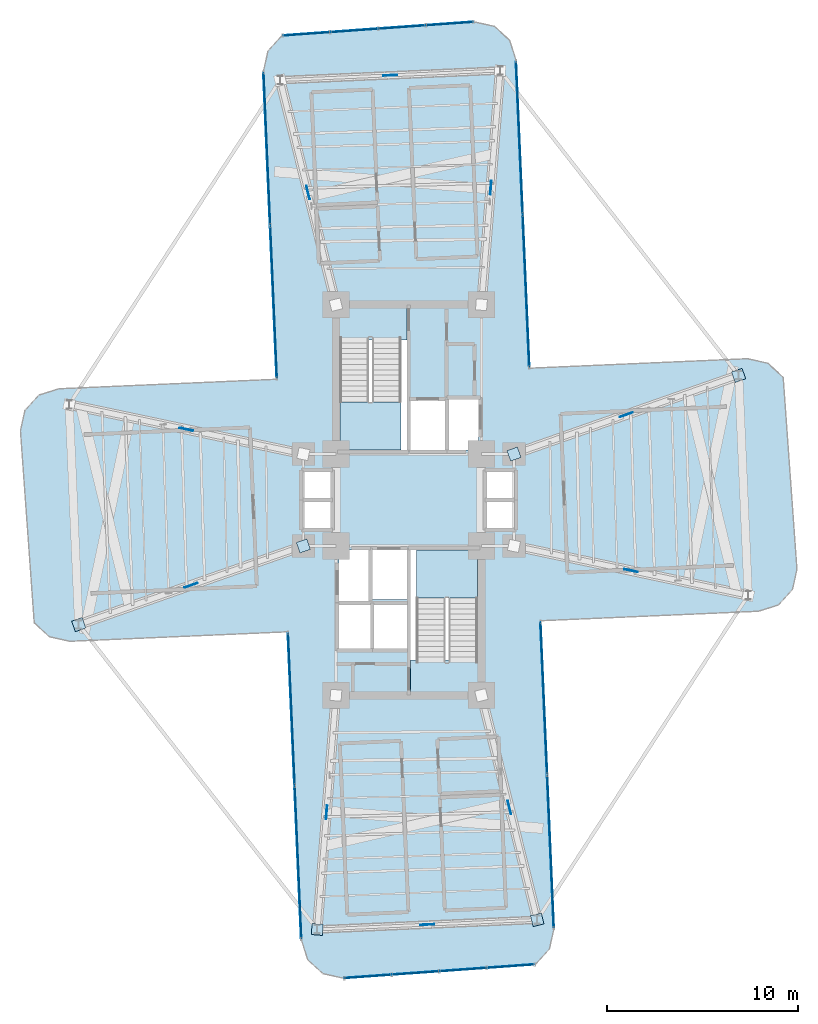
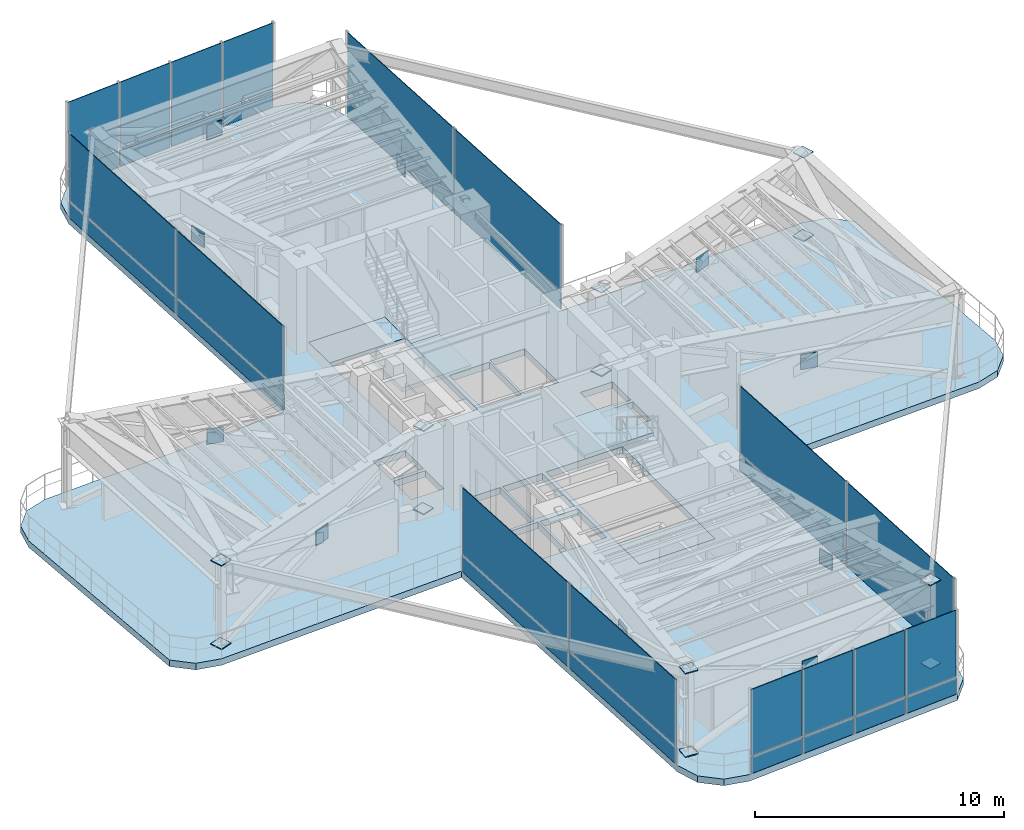
# One storey, part 12 of 18: 54 plates, 5 slabs, 8 elements without a shape of their own.
"""IFC4 building model written with IfcOpenShell, lengths in metres."""

import ifcopenshell
import ifcopenshell.guid

model = None  # the IFC model being written
_history = None  # IfcOwnerHistory: only IFC2X3 demands one
_inside = {}  # id of a spatial element -> (the spatial element, [elements in it])
_under = {}  # id of a project, library or spatial element -> (it, [spatial elements below it])
_declared = {}  # id of a project -> (the project, [libraries it declares])
_typed = {}  # id of a type object -> (the type object, [elements of that type])
_made_of = {}  # id of a material, layer set ... -> (it, [elements and type objects made of it])


def new_model(schema):
    """Start an empty IFC model of exactly this schema.

    Asked for "IFC4X3", IfcOpenShell would pick the latest addendum, in which some entities
    have other attributes; the version numbers below select the first issue.
    IFC2X3 requires an IfcOwnerHistory on every rooted entity: one is made here for all.
    """
    global model, _history
    if schema == "IFC4X3":
        model = ifcopenshell.file(schema_version=(4, 3, 0, 0))
    else:
        model = ifcopenshell.file(schema=schema)
    _inside.clear()
    _under.clear()
    _declared.clear()
    _typed.clear()
    _made_of.clear()
    _history = None
    if model.schema == "IFC2X3":
        org = make("IfcOrganization", Name="unknown")
        user = make(
            "IfcPersonAndOrganization",
            ThePerson=make("IfcPerson", FamilyName="unknown"),
            TheOrganization=org,
        )
        app = make(
            "IfcApplication",
            ApplicationDeveloper=org,
            Version="unknown",
            ApplicationFullName="unknown",
            ApplicationIdentifier="unknown",
        )
        _history = make(
            "IfcOwnerHistory",
            OwningUser=user,
            OwningApplication=app,
            ChangeAction="ADDED",
            CreationDate=0,
        )
    return model


def make(cls, **values):
    """One entity of the class cls with the attributes given. An attribute that is None is left unset."""
    return model.create_entity(
        cls, **{name: value for name, value in values.items() if value is not None}
    )


def rooted(cls, **values):
    """An entity with a GlobalId (a new one), such as an element, a storey or a relation."""
    return make(cls, GlobalId=ifcopenshell.guid.new(), OwnerHistory=_history, **values)


def si_unit(unit_type, name, prefix=None):
    """IfcSIUnit, for example si_unit("LENGTHUNIT", "METRE", prefix="MILLI")."""
    return make("IfcSIUnit", UnitType=unit_type, Prefix=prefix, Name=name)


def assignment(units):
    """IfcUnitAssignment: the units of a project."""
    return None if units is None else make("IfcUnitAssignment", Units=units)


def point(xyz):
    """IfcCartesianPoint."""
    return None if xyz is None else make("IfcCartesianPoint", Coordinates=xyz)


def direction(xyz):
    """IfcDirection."""
    return None if xyz is None else make("IfcDirection", DirectionRatios=xyz)


def frame(location, z_axis=None, x_axis=None):
    """IfcAxis2Placement3D, a coordinate frame: its origin and axes. An axis left out is left unset."""
    return make(
        "IfcAxis2Placement3D",
        Location=point(location),
        Axis=direction(z_axis),
        RefDirection=direction(x_axis),
    )


def frame_2d(location, x_axis=None):
    """IfcAxis2Placement2D, a coordinate frame in the plane: its origin and x axis."""
    return make(
        "IfcAxis2Placement2D", Location=point(location), RefDirection=direction(x_axis)
    )


def origin():
    """The frame at (0, 0, 0) with its axes left unset."""
    return frame((0.0, 0.0, 0.0))


def origin_2d():
    """The frame at (0, 0) in the plane with its x axis left unset."""
    return frame_2d((0.0, 0.0))


def place(relative_to, where):
    """IfcLocalPlacement: puts the frame where relative to a parent placement (None: the world)."""
    return make(
        "IfcLocalPlacement", PlacementRelTo=relative_to, RelativePlacement=where
    )


def context(
    kind, dimensions, precision=None, world=None, true_north=None, identifier=None
):
    """IfcGeometricRepresentationContext, for example the 3D "Model" context."""
    return make(
        "IfcGeometricRepresentationContext",
        ContextIdentifier=identifier,
        ContextType=kind,
        CoordinateSpaceDimension=dimensions,
        Precision=precision,
        WorldCoordinateSystem=world,
        TrueNorth=true_north,
    )


def subcontext(parent, identifier, kind, view, scale=None):
    """IfcGeometricRepresentationSubContext, for example "Body" below "Model"."""
    return make(
        "IfcGeometricRepresentationSubContext",
        ContextIdentifier=identifier,
        ContextType=kind,
        ParentContext=parent,
        TargetScale=scale,
        TargetView=view,
    )


def project(units=None, contexts=None):
    """IfcProject with its units and contexts."""
    return rooted(
        "IfcProject",
        Name="project",
        RepresentationContexts=contexts,
        UnitsInContext=assignment(units),
    )


def spatial(cls, under=None, at=None, **own):
    """A site, building, storey or space (cls), placed at a placement, below another one or the project."""
    s = rooted(cls, ObjectPlacement=at, **own)
    if under is not None:
        _under.setdefault(under.id(), (under, []))[1].append(s)
    return s


def polyline(points):
    """IfcPolyline through the points."""
    return make("IfcPolyline", Points=[point(p) for p in points])


def profile(cls, at=None, kind="AREA", **sizes):
    """A parametric profile (cls). Its sizes go by their IFC names, for example OverallWidth=200.0."""
    return make(cls, ProfileType=kind, Position=at, **sizes)


def rectangle(**sizes):
    """IfcRectangleProfileDef."""
    return profile("IfcRectangleProfileDef", **sizes)


def outline(outer, holes=None, kind="AREA"):
    """IfcArbitraryClosedProfileDef: a profile drawn as a closed curve; with holes, ...WithVoids."""
    if holes is None:
        return make("IfcArbitraryClosedProfileDef", ProfileType=kind, OuterCurve=outer)
    return make(
        "IfcArbitraryProfileDefWithVoids",
        ProfileType=kind,
        OuterCurve=outer,
        InnerCurves=holes,
    )


def extrude(swept, where, along, depth):
    """IfcExtrudedAreaSolid: the profile swept, set in the frame where, extruded along a direction by depth."""
    return make(
        "IfcExtrudedAreaSolid",
        SweptArea=swept,
        Position=where,
        ExtrudedDirection=direction(along),
        Depth=depth,
    )


def shape(context_of_items, identifier, shape_type, items):
    """IfcShapeRepresentation: the items that make up one representation, for example the "Body"."""
    return make(
        "IfcShapeRepresentation",
        ContextOfItems=context_of_items,
        RepresentationIdentifier=identifier,
        RepresentationType=shape_type,
        Items=items,
    )


def source(mapping_origin, context_of_items, identifier, shape_type, items):
    """IfcRepresentationMap: a shape defined once, which mapped items show again and again."""
    return make(
        "IfcRepresentationMap",
        MappingOrigin=mapping_origin,
        MappedRepresentation=shape(context_of_items, identifier, shape_type, items),
    )


def transform(
    local_origin,
    x_axis=None,
    y_axis=None,
    z_axis=None,
    scale=None,
    scale2=None,
    scale3=None,
    uniform=True,
):
    """IfcCartesianTransformationOperator3D, or its non-uniform kind. x_axis, y_axis, z_axis: its Axis1, 2, 3."""
    if uniform:
        return make(
            "IfcCartesianTransformationOperator3D",
            Axis1=direction(x_axis),
            Axis2=direction(y_axis),
            LocalOrigin=point(local_origin),
            Scale=scale,
            Axis3=direction(z_axis),
        )
    return make(
        "IfcCartesianTransformationOperator3DnonUniform",
        Axis1=direction(x_axis),
        Axis2=direction(y_axis),
        LocalOrigin=point(local_origin),
        Scale=scale,
        Axis3=direction(z_axis),
        Scale2=scale2,
        Scale3=scale3,
    )


def mapped(mapping_source, mapping_target):
    """IfcMappedItem: shows the shape of a source again, moved by a transform."""
    return make(
        "IfcMappedItem", MappingSource=mapping_source, MappingTarget=mapping_target
    )


def material(Name=None, Category=None):
    """IfcMaterial."""
    return make("IfcMaterial", Name=Name, Category=Category)


def layer(
    of_material, thickness, ventilated=None, Name=None, Category=None, Priority=None
):
    """IfcMaterialLayer: one layer of a wall or slab, of a material (None: an air gap)."""
    return make(
        "IfcMaterialLayer",
        Material=of_material,
        LayerThickness=thickness,
        IsVentilated=ventilated,
        Name=Name,
        Category=Category,
        Priority=Priority,
    )


def layer_set(layers, Name=None):
    """IfcMaterialLayerSet."""
    return make("IfcMaterialLayerSet", MaterialLayers=layers, LayerSetName=Name)


def made_of(thing, what):
    """Note that an element or type object is made of a material, layer set ...; save() writes the relation."""
    if what is not None:
        _made_of.setdefault(what.id(), (what, []))[1].append(thing)
    return thing


def type_object(cls, material=None, **own):
    """A type object (cls), such as IfcWallType, which elements share."""
    return made_of(rooted(cls, **own), material)


def element(
    cls,
    number,
    at=None,
    inside=None,
    cuts=None,
    type_object=None,
    material=None,
    context=None,
    identifier="Body",
    shape_type=None,
    held_by="IfcProductDefinitionShape",
    body=None,
    shapes=None,
    **own,
):
    """One element of the class cls, such as IfcWall. Its Tag is "e" and its number.

    at: its placement. inside: the storey or other place that contains it. cuts: it is an
    opening in that element (IfcRelVoidsElement). A single representation is given by context,
    identifier, shape_type and body (its items); several are given by shapes. held_by: the class
    of the entity that holds the representations. save() writes the other relations.
    """
    e = rooted(cls, Tag="e%d" % number, ObjectPlacement=at, **own)
    if body is not None:
        shapes = [shape(context, identifier, shape_type, body)]
    if shapes is not None:
        e.Representation = make(held_by, Representations=shapes)
    if inside is not None:
        _inside.setdefault(inside.id(), (inside, []))[1].append(e)
    if cuts is not None:
        rooted(
            "IfcRelVoidsElement", RelatingBuildingElement=cuts, RelatedOpeningElement=e
        )
    if type_object is not None:
        _typed.setdefault(type_object.id(), (type_object, []))[1].append(e)
    return made_of(e, material)


def aggregate(whole, parts):
    """IfcRelAggregates: a whole, such as a stair, and the parts it consists of."""
    return rooted("IfcRelAggregates", RelatingObject=whole, RelatedObjects=parts)


def save(model, path):
    """Write the relations noted so far, then the file.

    IfcRelAggregates (storeys below a building ...), IfcRelContainedInSpatialStructure (elements
    in a storey), IfcRelDefinesByType, IfcRelAssociatesMaterial and IfcRelDeclares: one each for
    every whole, place, type object, material and project.
    """
    for whole, parts in _under.values():
        aggregate(whole, parts)
    for where, things in _inside.values():
        rooted(
            "IfcRelContainedInSpatialStructure",
            RelatedElements=things,
            RelatingStructure=where,
        )
    for kind, things in _typed.values():
        rooted("IfcRelDefinesByType", RelatedObjects=things, RelatingType=kind)
    for what, things in _made_of.values():
        rooted("IfcRelAssociatesMaterial", RelatedObjects=things, RelatingMaterial=what)
    for by, libraries in _declared.values():
        rooted("IfcRelDeclares", RelatingContext=by, RelatedDefinitions=libraries)
    model.write(path)


model = new_model("IFC4")

# Units and contexts
model_context = context("Model", 3, precision=1e-05, world=origin(), true_north=direction((0.0, 1.0)))
body_context = subcontext(model_context, "Body", "Model", "MODEL_VIEW")
ifc_project = project(units=[si_unit("LENGTHUNIT", "METRE"), si_unit("AREAUNIT", "SQUARE_METRE"), si_unit("VOLUMEUNIT", "CUBIC_METRE"), si_unit("PLANEANGLEUNIT", "RADIAN"), si_unit("MASSUNIT", "GRAM", prefix="KILO")], contexts=[model_context])

# Site, building, storey
site_placement = place(None, origin())
site = spatial("IfcSite", under=ifc_project, at=site_placement, CompositionType="ELEMENT")
building_placement = place(site_placement, origin())
building = spatial("IfcBuilding", under=site, at=building_placement, Name="Sahyath Konkavel Grand Hotel", CompositionType="ELEMENT")
storey_placement = place(building_placement, frame((0.0, 0.0, 138.25)))
storey = spatial("IfcBuildingStorey", under=building, at=storey_placement, Name="L38", CompositionType="ELEMENT", Elevation=138.25)

# Slab
ifc_material_1 = material(Name="Concrete C50/60", Category="concrete")
ifc_layer_1 = layer(ifc_material_1, 0.320068359375)
ifc_layer_set_1 = layer_set([ifc_layer_1], Name="Concrete C50/60")
slab_type_1 = type_object("IfcSlabType", Name="SLB-320", PredefinedType="FLOOR", material=ifc_layer_set_1)
slab_1_placement = place(storey_placement, frame((0.0, 0.0, -0.320068359375)))
element("IfcSlab", 1, at=slab_1_placement, inside=storey, type_object=slab_type_1, Name="L38 Structural Floor Slab", PredefinedType="FLOOR", context=body_context, shape_type="SweptSolid", body=[
    extrude(outline(polyline([(6.881591796875, -6.305908203125), (18.270751953125, -5.80859375), (19.3076171875, -5.481689453125), (20.0419921875, -4.68017578125), (20.277099609375, -3.618896484375), (19.5576171875, 6.4091796875), (18.75634765625, 7.1435546875), (17.695068359375, 7.37890625), (6.305908203125, 6.881591796875), (5.603515625, 22.96630859375), (5.276611328125, 24.0029296875), (4.47509765625, 24.7373046875), (3.4140625, 24.97265625), (-6.6142578125, 24.253173828125), (-7.3486328125, 23.451904296875), (-7.583984375, 22.390380859375), (-6.881591796875, 6.305908203125), (-18.270751953125, 5.80859375), (-19.3076171875, 5.481689453125), (-20.0419921875, 4.68017578125), (-20.277099609375, 3.618896484375), (-19.5576171875, -6.4091796875), (-18.75634765625, -7.1435546875), (-17.695068359375, -7.37890625), (-6.305908203125, -6.881591796875), (-5.603515625, -22.96630859375), (-5.276611328125, -24.0029296875), (-4.47509765625, -24.7373046875), (-3.4140625, -24.97265625), (6.6142578125, -24.253173828125), (7.3486328125, -23.451904296875), (7.583984375, -22.390380859375), (6.881591796875, -6.305908203125)]), holes=[polyline([(-3.6201171875, 2.580078125), (-0.10009765625, 2.580078125), (-0.10009765625, 10.02001953125), (-3.6201171875, 10.02001953125), (-3.6201171875, 2.580078125)]), polyline([(0.10009765625, -10.02001953125), (3.6201171875, -10.02001953125), (3.6201171875, -2.580078125), (0.10009765625, -2.580078125), (0.10009765625, -10.02001953125)]), polyline([(0.10009765625, 2.60009765625), (1.949951171875, 2.60009765625), (1.949951171875, 5.199951171875), (0.10009765625, 5.199951171875), (0.10009765625, 2.60009765625)]), polyline([(-1.949951171875, -5.199951171875), (-0.10009765625, -5.199951171875), (-0.10009765625, -2.60009765625), (-1.949951171875, -2.60009765625), (-1.949951171875, -5.199951171875)]), polyline([(2.050048828125, 2.60009765625), (3.64990234375, 2.60009765625), (3.64990234375, 5.300048828125), (2.050048828125, 5.300048828125), (2.050048828125, 2.60009765625)]), polyline([(-3.64990234375, -5.300048828125), (-2.050048828125, -5.300048828125), (-2.050048828125, -2.60009765625), (-3.64990234375, -2.60009765625), (-3.64990234375, -5.300048828125)]), polyline([(-3.64990234375, -7.75), (-1.949951171875, -7.75), (-1.949951171875, -5.449951171875), (-3.64990234375, -5.449951171875), (-3.64990234375, -7.75)]), polyline([(-1.85009765625, -7.75), (-0.10009765625, -7.75), (-0.10009765625, -5.449951171875), (-1.85009765625, -5.449951171875), (-1.85009765625, -7.75)]), polyline([(4.050048828125, 0.080078125), (5.550048828125, 0.080078125), (5.550048828125, 1.5400390625), (4.050048828125, 1.5400390625), (4.050048828125, 0.080078125)]), polyline([(4.050048828125, -1.5400390625), (5.550048828125, -1.5400390625), (5.550048828125, -0.080078125), (4.050048828125, -0.080078125), (4.050048828125, -1.5400390625)]), polyline([(-5.550048828125, 0.080078125), (-4.050048828125, 0.080078125), (-4.050048828125, 1.5400390625), (-5.550048828125, 1.5400390625), (-5.550048828125, 0.080078125)]), polyline([(-5.550048828125, -1.5400390625), (-4.050048828125, -1.5400390625), (-4.050048828125, -0.080078125), (-5.550048828125, -0.080078125), (-5.550048828125, -1.5400390625)])]), origin(), (0.0, 0.0, 1.0), 0.320068359375),
])

# Stair, slab
ifc_material_2 = material(Name="Concrete C40/50", Category="concrete")
stair_type = type_object("IfcStairType", Name="STR-ST16-450", PredefinedType="HALF_TURN_STAIR", material=ifc_material_2)
stair_1_placement = place(storey_placement, origin())
stair_1 = element("IfcStair", 2, at=stair_1_placement, inside=storey, type_object=stair_type, Name="L38 North Core Smokeproof Exit Stair ST-1", PredefinedType="HALF_TURN_STAIR")
ifc_layer_2 = layer(ifc_material_2, 0.199951171875)
ifc_layer_set_2 = layer_set([ifc_layer_2], Name="Concrete C40/50")
slab_type_2 = type_object("IfcSlabType", Name="SLB-STAIR-LND", PredefinedType="LANDING", material=ifc_layer_set_2)
slab_2_placement = place(storey_placement, frame((0.0, 0.0, 2.050048828125)))
slab_2 = element("IfcSlab", 3, at=slab_2_placement, type_object=slab_type_2, Name="ST-1 landing 1", PredefinedType="LANDING", context=body_context, shape_type="SweptSolid", body=[
    extrude(outline(polyline([(-3.60009765625, 5.1201171875), (-3.60009765625, 2.60009765625), (-0.39990234375, 2.60009765625), (-0.39990234375, 5.1201171875), (-3.60009765625, 5.1201171875)])), origin(), (0.0, 0.0, 1.0), 0.199951171875),
])
aggregate(stair_1, [slab_2])

stair_2_placement = place(storey_placement, origin())
stair_2 = element("IfcStair", 4, at=stair_2_placement, inside=storey, type_object=stair_type, Name="L38 South Core Smokeproof Exit Stair ST-2", PredefinedType="HALF_TURN_STAIR")
slab_3_placement = place(storey_placement, frame((0.0, 0.0, 2.050048828125)))
slab_3 = element("IfcSlab", 5, at=slab_3_placement, type_object=slab_type_2, Name="ST-2 landing 1", PredefinedType="LANDING", context=body_context, shape_type="SweptSolid", body=[
    extrude(outline(polyline([(3.60009765625, -5.1201171875), (3.60009765625, -2.60009765625), (0.39990234375, -2.60009765625), (0.39990234375, -5.1201171875), (3.60009765625, -5.1201171875)])), origin(), (0.0, 0.0, 1.0), 0.199951171875),
])
aggregate(stair_2, [slab_3])

# Slabs
slab_4_placement = place(storey_placement, frame((0.0, 0.0, -0.199951171875)))
element("IfcSlab", 6, at=slab_4_placement, inside=storey, type_object=slab_type_2, Name="L38 Stair ST-1 Floor Landing Slab", PredefinedType="LANDING", context=body_context, shape_type="SweptSolid", body=[
    extrude(outline(polyline([(-3.6201171875, 8.35009765625), (-0.10009765625, 8.35009765625), (-0.10009765625, 10.02001953125), (-3.6201171875, 10.02001953125), (-3.6201171875, 8.35009765625)])), origin(), (0.0, 0.0, 1.0), 0.199951171875),
])
slab_5_placement = place(storey_placement, frame((0.0, 0.0, -0.199951171875)))
element("IfcSlab", 7, at=slab_5_placement, inside=storey, type_object=slab_type_2, Name="L38 Stair ST-2 Floor Landing Slab", PredefinedType="LANDING", context=body_context, shape_type="SweptSolid", body=[
    extrude(outline(polyline([(0.10009765625, -10.02001953125), (3.6201171875, -10.02001953125), (3.6201171875, -8.35009765625), (0.10009765625, -8.35009765625), (0.10009765625, -10.02001953125)])), origin(), (0.0, 0.0, 1.0), 0.199951171875),
])

# Plates
ifc_material_3 = material(Name="Steel E450", Category="steel")
plate_type_1 = type_object("IfcPlateType", Name="GUSSET-NODE-40", PredefinedType="USERDEFINED", material=ifc_material_3)
shared_shape_1 = source(origin(), body_context, "Body", "SweptSolid", [
    extrude(rectangle(XDim=0.719970703125, YDim=0.0400390625, at=origin_2d()), origin(), (0.0, 0.0, 1.0), 0.719970703125),
])
for number, where, z_axis, x_axis, name in (
    (8, (11.6171875, -3.690673828125, 1.72998046875), (0.0, 0.0, 1.0), (0.978458570704, -0.206443274088, 0.0), "L38 Core Outrigger Truss EA X-Crossing Node Gusset Plate"),
    (9, (11.3662109375, 4.453857421875, 1.72998046875), (0.0, 0.0, 1.0), (0.943818255983, 0.330464974958, 0.0), "L38 Core Outrigger Truss EB X-Crossing Node Gusset Plate"),
    (10, (4.2880859375, 16.314697265625, 1.72998046875), (0.0, 0.0, 1.0), (0.079572613899, 0.996829072167, 0.0), "L38 Core Outrigger Truss NA X-Crossing Node Gusset Plate"),
    (11, (-5.256591796875, 16.064208984375, 1.72998046875), (0.0, 0.0, 1.0), (-0.241041183619, 0.970514887984, 0.0), "L38 Core Outrigger Truss NB X-Crossing Node Gusset Plate"),
    (12, (-11.6171875, 3.690673828125, 1.72998046875), (0.0, 0.0, 1.0), (-0.978458570704, 0.206443274088, 0.0), "L38 Core Outrigger Truss WA X-Crossing Node Gusset Plate"),
    (13, (-11.3662109375, -4.453857421875, 1.72998046875), (0.0, 0.0, 1.0), (-0.943818255983, -0.330464974958, 0.0), "L38 Core Outrigger Truss WB X-Crossing Node Gusset Plate"),
    (14, (-4.2880859375, -16.314697265625, 1.72998046875), (0.0, 0.0, 1.0), (-0.079572613899, -0.996829072167, 0.0), "L38 Core Outrigger Truss SA X-Crossing Node Gusset Plate"),
    (15, (5.256591796875, -16.064208984375, 1.72998046875), (0.0, 0.0, 1.0), (0.241041183619, -0.970514887984, 0.0), "L38 Core Outrigger Truss SB X-Crossing Node Gusset Plate"),
    (16, (-0.968505859375, 22.178955078125, 1.72998046875), (0.0, 0.0, 1.0), (-0.999048221582, -0.043619387365, 0.0), "L38 Perimeter Belt Truss TIP-N X-Crossing Node Gusset Plate"),
    (17, (0.968505859375, -22.178955078125, 1.72998046875), (0.0, 0.0, 1.0), (0.999048221582, 0.043619387365, 0.0), "L38 Perimeter Belt Truss TIP-S X-Crossing Node Gusset Plate"),
):
    element("IfcPlate", number, at=place(storey_placement, frame(where, z_axis=z_axis, x_axis=x_axis)), inside=storey, type_object=plate_type_1, Name=name, ObjectType="GUSSET_PLATE", PredefinedType="USERDEFINED", context=body_context, shape_type="MappedRepresentation", body=[
        mapped(shared_shape_1, transform((0.0, 0.0, 0.0), scale=1.0)),
    ])
plate_type_2 = type_object("IfcPlateType", Name="GUSSET-END-35", PredefinedType="USERDEFINED", material=ifc_material_3)
shared_shape_2 = source(origin(), body_context, "Body", "SweptSolid", [
    extrude(rectangle(XDim=0.580078125, YDim=0.580078125, at=origin_2d()), origin(), (0.0, 0.0, 1.0), 0.044921875),
])
for number, where, z_axis, x_axis, name in (
    (18, (5.5, 2.39990234375, 0.027587890625), (0.0, 0.0, 1.0), (0.943818255983, 0.330464974958, 0.0), "L38 Core Outrigger Truss EB Cast-In Embed Gusset Plate BL"),
    (19, (5.5, 2.39990234375, 4.107421875), (0.0, 0.0, 1.0), (0.943818255983, 0.330464974958, 0.0), "L38 Core Outrigger Truss EB Cast-In Embed Gusset Plate TL"),
    (20, (17.232421875, 6.5078125, 0.027587890625), (0.0, 0.0, 1.0), (0.943818255983, 0.330464974958, 0.0), "L38 Core Outrigger Truss EB Cast-In Embed Gusset Plate BR"),
    (21, (17.232421875, 6.5078125, 4.107421875), (0.0, 0.0, 1.0), (0.943818255983, 0.330464974958, 0.0), "L38 Core Outrigger Truss EB Cast-In Embed Gusset Plate TR"),
    (22, (-5.5, -2.39990234375, 0.027587890625), (0.0, 0.0, 1.0), (-0.943818255983, -0.330464974958, 0.0), "L38 Core Outrigger Truss WB Cast-In Embed Gusset Plate BL"),
    (23, (-5.5, -2.39990234375, 4.107421875), (0.0, 0.0, 1.0), (-0.943818255983, -0.330464974958, 0.0), "L38 Core Outrigger Truss WB Cast-In Embed Gusset Plate TL"),
    (24, (-17.232421875, -6.5078125, 0.027587890625), (0.0, 0.0, 1.0), (-0.943818255983, -0.330464974958, 0.0), "L38 Core Outrigger Truss WB Cast-In Embed Gusset Plate BR"),
    (25, (-17.232421875, -6.5078125, 4.107421875), (0.0, 0.0, 1.0), (-0.943818255983, -0.330464974958, 0.0), "L38 Core Outrigger Truss WB Cast-In Embed Gusset Plate TR"),
    (26, (-4.776123046875, -22.4296875, 0.027587890625), (0.0, 0.0, 1.0), (-0.079572613899, -0.996829072167, 0.0), "L38 Core Outrigger Truss SA Cast-In Embed Gusset Plate BR"),
    (27, (-4.776123046875, -22.4296875, 4.107421875), (0.0, 0.0, 1.0), (-0.079572613899, -0.996829072167, 0.0), "L38 Core Outrigger Truss SA Cast-In Embed Gusset Plate TR"),
    (28, (6.712890625, -21.927978515625, 0.027587890625), (0.0, 0.0, 1.0), (0.241041183619, -0.970514887984, 0.0), "L38 Core Outrigger Truss SB Cast-In Embed Gusset Plate BR"),
    (29, (6.712890625, -21.927978515625, 4.107421875), (0.0, 0.0, 1.0), (0.241041183619, -0.970514887984, 0.0), "L38 Core Outrigger Truss SB Cast-In Embed Gusset Plate TR"),
):
    element("IfcPlate", number, at=place(storey_placement, frame(where, z_axis=z_axis, x_axis=x_axis)), inside=storey, type_object=plate_type_2, Name=name, ObjectType="GUSSET_PLATE", PredefinedType="USERDEFINED", context=body_context, shape_type="MappedRepresentation", body=[
        mapped(shared_shape_2, transform((0.0, 0.0, 0.0), scale=1.0)),
    ])

# Curtain wall, plates
ifc_material_4 = material(Name="Anodised Bronze Aluminium & Low-E Glazing", Category="aluminium")
curtain_wall_type = type_object("IfcCurtainWallType", Name="CW-SKYLOBBY", PredefinedType="NOTDEFINED", material=ifc_material_4)
curtain_wall_1_placement = place(storey_placement, origin())
curtain_wall_1 = element("IfcCurtainWall", 30, at=curtain_wall_1_placement, inside=storey, type_object=curtain_wall_type, Name="L38 Unitised Curtain Wall RF12", PredefinedType="NOTDEFINED")
ifc_material_5 = material(Name="Warm Buff Sandstone Cladding", Category="masonry")
ifc_layer_3 = layer(ifc_material_5, 0.074951171875)
ifc_layer_set_3 = layer_set([ifc_layer_3], Name="Warm Buff Sandstone Cladding")
plate_type_3 = type_object("IfcPlateType", Name="PNL-SPANDREL-STONE", PredefinedType="SHEET", material=ifc_layer_set_3)
shared_shape_3 = source(origin(), body_context, "Body", "SweptSolid", [
    extrude(rectangle(XDim=2.41357421875, YDim=0.074951171875, at=origin_2d()), origin(), (0.0, 0.0, 1.0), 0.77001953125),
])
plate_1_placement = place(storey_placement, frame((2.130615234375, 24.880615234375, 0.0400390625), z_axis=(0.0, 0.0, 1.0), x_axis=(-0.997435789037, -0.071567078661, 0.0)))
plate_1 = element("IfcPlate", 31, at=plate_1_placement, type_object=plate_type_3, Name="L38 Sandstone Relief Spandrel Panel RF12-0", PredefinedType="SHEET", context=body_context, shape_type="MappedRepresentation", body=[
    mapped(shared_shape_3, transform((0.0, 0.0, 0.0), scale=1.0)),
])
plate_2_placement = place(storey_placement, frame((-0.356689453125, 24.7021484375, 0.0400390625), z_axis=(0.0, 0.0, 1.0), x_axis=(-0.997435789037, -0.071567078661, 0.0)))
plate_2 = element("IfcPlate", 32, at=plate_2_placement, type_object=plate_type_3, Name="L38 Sandstone Relief Spandrel Panel RF12-1", PredefinedType="SHEET", context=body_context, shape_type="MappedRepresentation", body=[
    mapped(shared_shape_3, transform((0.0, 0.0, 0.0), scale=1.0)),
])
plate_3_placement = place(storey_placement, frame((-2.84375, 24.523681640625, 0.0400390625), z_axis=(0.0, 0.0, 1.0), x_axis=(-0.997435789037, -0.071567078661, 0.0)))
plate_3 = element("IfcPlate", 33, at=plate_3_placement, type_object=plate_type_3, Name="L38 Sandstone Relief Spandrel Panel RF12-2", PredefinedType="SHEET", context=body_context, shape_type="MappedRepresentation", body=[
    mapped(shared_shape_3, transform((0.0, 0.0, 0.0), scale=1.0)),
])
plate_4_placement = place(storey_placement, frame((-5.330810546875, 24.34521484375, 0.0400390625), z_axis=(0.0, 0.0, 1.0), x_axis=(-0.997435789037, -0.071567078661, 0.0)))
plate_4 = element("IfcPlate", 34, at=plate_4_placement, type_object=plate_type_3, Name="L38 Sandstone Relief Spandrel Panel RF12-3", PredefinedType="SHEET", context=body_context, shape_type="MappedRepresentation", body=[
    mapped(shared_shape_3, transform((0.0, 0.0, 0.0), scale=1.0)),
])

curtain_wall_2_placement = place(storey_placement, origin())
curtain_wall_2 = element("IfcCurtainWall", 35, at=curtain_wall_2_placement, inside=storey, type_object=curtain_wall_type, Name="L38 Unitised Curtain Wall RF28", PredefinedType="NOTDEFINED")
plate_5_placement = place(storey_placement, frame((-2.130615234375, -24.880615234375, 0.0400390625), z_axis=(0.0, 0.0, 1.0), x_axis=(0.997435789037, 0.071567078661, 0.0)))
plate_5 = element("IfcPlate", 36, at=plate_5_placement, type_object=plate_type_3, Name="L38 Sandstone Relief Spandrel Panel RF28-0", PredefinedType="SHEET", context=body_context, shape_type="MappedRepresentation", body=[
    mapped(shared_shape_3, transform((0.0, 0.0, 0.0), scale=1.0)),
])
plate_6_placement = place(storey_placement, frame((0.356689453125, -24.7021484375, 0.0400390625), z_axis=(0.0, 0.0, 1.0), x_axis=(0.997435789037, 0.071567078661, 0.0)))
plate_6 = element("IfcPlate", 37, at=plate_6_placement, type_object=plate_type_3, Name="L38 Sandstone Relief Spandrel Panel RF28-1", PredefinedType="SHEET", context=body_context, shape_type="MappedRepresentation", body=[
    mapped(shared_shape_3, transform((0.0, 0.0, 0.0), scale=1.0)),
])
plate_7_placement = place(storey_placement, frame((2.84375, -24.523681640625, 0.0400390625), z_axis=(0.0, 0.0, 1.0), x_axis=(0.997435789037, 0.071567078661, 0.0)))
plate_7 = element("IfcPlate", 38, at=plate_7_placement, type_object=plate_type_3, Name="L38 Sandstone Relief Spandrel Panel RF28-2", PredefinedType="SHEET", context=body_context, shape_type="MappedRepresentation", body=[
    mapped(shared_shape_3, transform((0.0, 0.0, 0.0), scale=1.0)),
])
plate_8_placement = place(storey_placement, frame((5.330810546875, -24.34521484375, 0.0400390625), z_axis=(0.0, 0.0, 1.0), x_axis=(0.997435789037, 0.071567078661, 0.0)))
plate_8 = element("IfcPlate", 39, at=plate_8_placement, type_object=plate_type_3, Name="L38 Sandstone Relief Spandrel Panel RF28-3", PredefinedType="SHEET", context=body_context, shape_type="MappedRepresentation", body=[
    mapped(shared_shape_3, transform((0.0, 0.0, 0.0), scale=1.0)),
])

curtain_wall_3_placement = place(storey_placement, origin())
curtain_wall_3 = element("IfcCurtainWall", 40, at=curtain_wall_3_placement, inside=storey, type_object=curtain_wall_type, Name="L38 Unitised Curtain Wall RF8", PredefinedType="NOTDEFINED")
shared_shape_4 = source(origin(), body_context, "Body", "SweptSolid", [
    extrude(rectangle(XDim=7.929931640625, YDim=0.074951171875, at=origin_2d()), origin(), (0.0, 0.0, 1.0), 0.77001953125),
])
plate_9_placement = place(storey_placement, frame((6.12939453125, 10.9228515625, 0.0400390625), z_axis=(0.0, 0.0, 1.0), x_axis=(-0.043619387365, 0.999048221582, 0.0)))
plate_9 = element("IfcPlate", 41, at=plate_9_placement, type_object=plate_type_3, Name="L38 Sandstone Relief Spandrel Panel RF8-0", PredefinedType="SHEET", context=body_context, shape_type="MappedRepresentation", body=[
    mapped(shared_shape_4, transform((0.0, 0.0, 0.0), scale=1.0)),
])
plate_10_placement = place(storey_placement, frame((5.780029296875, 18.92529296875, 0.0400390625), z_axis=(0.0, 0.0, 1.0), x_axis=(-0.043619387365, 0.999048221582, 0.0)))
plate_10 = element("IfcPlate", 42, at=plate_10_placement, type_object=plate_type_3, Name="L38 Sandstone Relief Spandrel Panel RF8-1", PredefinedType="SHEET", context=body_context, shape_type="MappedRepresentation", body=[
    mapped(shared_shape_4, transform((0.0, 0.0, 0.0), scale=1.0)),
])

curtain_wall_4_placement = place(storey_placement, origin())
curtain_wall_4 = element("IfcCurtainWall", 43, at=curtain_wall_4_placement, inside=storey, type_object=curtain_wall_type, Name="L38 Unitised Curtain Wall RF15", PredefinedType="NOTDEFINED")
plate_11_placement = place(storey_placement, frame((-7.407470703125, 18.349365234375, 0.0400390625), z_axis=(0.0, 0.0, 1.0), x_axis=(0.043619387365, -0.999048221582, 0.0)))
plate_11 = element("IfcPlate", 44, at=plate_11_placement, type_object=plate_type_3, Name="L38 Sandstone Relief Spandrel Panel RF15-0", PredefinedType="SHEET", context=body_context, shape_type="MappedRepresentation", body=[
    mapped(shared_shape_4, transform((0.0, 0.0, 0.0), scale=1.0)),
])
plate_12_placement = place(storey_placement, frame((-7.05810546875, 10.346923828125, 0.0400390625), z_axis=(0.0, 0.0, 1.0), x_axis=(0.043619387365, -0.999048221582, 0.0)))
plate_12 = element("IfcPlate", 45, at=plate_12_placement, type_object=plate_type_3, Name="L38 Sandstone Relief Spandrel Panel RF15-1", PredefinedType="SHEET", context=body_context, shape_type="MappedRepresentation", body=[
    mapped(shared_shape_4, transform((0.0, 0.0, 0.0), scale=1.0)),
])

curtain_wall_5_placement = place(storey_placement, origin())
curtain_wall_5 = element("IfcCurtainWall", 46, at=curtain_wall_5_placement, inside=storey, type_object=curtain_wall_type, Name="L38 Unitised Curtain Wall RF24", PredefinedType="NOTDEFINED")
plate_13_placement = place(storey_placement, frame((-6.12939453125, -10.9228515625, 0.0400390625), z_axis=(0.0, 0.0, 1.0), x_axis=(0.043619387365, -0.999048221582, 0.0)))
plate_13 = element("IfcPlate", 47, at=plate_13_placement, type_object=plate_type_3, Name="L38 Sandstone Relief Spandrel Panel RF24-0", PredefinedType="SHEET", context=body_context, shape_type="MappedRepresentation", body=[
    mapped(shared_shape_4, transform((0.0, 0.0, 0.0), scale=1.0)),
])
plate_14_placement = place(storey_placement, frame((-5.780029296875, -18.92529296875, 0.0400390625), z_axis=(0.0, 0.0, 1.0), x_axis=(0.043619387365, -0.999048221582, 0.0)))
plate_14 = element("IfcPlate", 48, at=plate_14_placement, type_object=plate_type_3, Name="L38 Sandstone Relief Spandrel Panel RF24-1", PredefinedType="SHEET", context=body_context, shape_type="MappedRepresentation", body=[
    mapped(shared_shape_4, transform((0.0, 0.0, 0.0), scale=1.0)),
])

curtain_wall_6_placement = place(storey_placement, origin())
curtain_wall_6 = element("IfcCurtainWall", 49, at=curtain_wall_6_placement, inside=storey, type_object=curtain_wall_type, Name="L38 Unitised Curtain Wall RF31", PredefinedType="NOTDEFINED")
plate_15_placement = place(storey_placement, frame((7.407470703125, -18.349365234375, 0.0400390625), z_axis=(0.0, 0.0, 1.0), x_axis=(-0.043619387365, 0.999048221582, 0.0)))
plate_15 = element("IfcPlate", 50, at=plate_15_placement, type_object=plate_type_3, Name="L38 Sandstone Relief Spandrel Panel RF31-0", PredefinedType="SHEET", context=body_context, shape_type="MappedRepresentation", body=[
    mapped(shared_shape_4, transform((0.0, 0.0, 0.0), scale=1.0)),
])
plate_16_placement = place(storey_placement, frame((7.05810546875, -10.346923828125, 0.0400390625), z_axis=(0.0, 0.0, 1.0), x_axis=(-0.043619387365, 0.999048221582, 0.0)))
plate_16 = element("IfcPlate", 51, at=plate_16_placement, type_object=plate_type_3, Name="L38 Sandstone Relief Spandrel Panel RF31-1", PredefinedType="SHEET", context=body_context, shape_type="MappedRepresentation", body=[
    mapped(shared_shape_4, transform((0.0, 0.0, 0.0), scale=1.0)),
])

# Plate
ifc_material_6 = material(Name="Warm Buff Sandstone Perforated Cladding", Category="masonry")
ifc_layer_4 = layer(ifc_material_6, 0.090087890625)
ifc_layer_set_4 = layer_set([ifc_layer_4], Name="Warm Buff Sandstone Perforated Cladding")
plate_type_4 = type_object("IfcPlateType", Name="PNL-CROWN-LOUVRE", PredefinedType="SHEET", material=ifc_layer_set_4)
shared_shape_5 = source(origin(), body_context, "Body", "SweptSolid", [
    extrude(rectangle(XDim=7.929931640625, YDim=0.035888671875, at=origin_2d()), origin(), (0.0, 0.0, 1.0), 3.25),
])
plate_17_placement = place(storey_placement, frame((6.12939453125, 10.9228515625, 0.889892578125), z_axis=(0.0, 0.0, 1.0), x_axis=(-0.043619387365, 0.999048221582, 0.0)))
plate_17 = element("IfcPlate", 52, at=plate_17_placement, type_object=plate_type_4, Name="L38 Acoustic Plant Louvre Screen RF8-0", PredefinedType="SHEET", context=body_context, shape_type="MappedRepresentation", body=[
    mapped(shared_shape_5, transform((0.0, 0.0, 0.0), scale=1.0)),
])

plate_18_placement = place(storey_placement, frame((5.780029296875, 18.92529296875, 0.889892578125), z_axis=(0.0, 0.0, 1.0), x_axis=(-0.043619387365, 0.999048221582, 0.0)))
plate_18 = element("IfcPlate", 53, at=plate_18_placement, type_object=plate_type_4, Name="L38 Acoustic Plant Louvre Screen RF8-1", PredefinedType="SHEET", context=body_context, shape_type="MappedRepresentation", body=[
    mapped(shared_shape_5, transform((0.0, 0.0, 0.0), scale=1.0)),
])

aggregate(curtain_wall_3, [plate_9, plate_17, plate_10, plate_18])

plate_19_placement = place(storey_placement, frame((-7.407470703125, 18.349365234375, 0.889892578125), z_axis=(0.0, 0.0, 1.0), x_axis=(0.043619387365, -0.999048221582, 0.0)))
plate_19 = element("IfcPlate", 54, at=plate_19_placement, type_object=plate_type_4, Name="L38 Acoustic Plant Louvre Screen RF15-0", PredefinedType="SHEET", context=body_context, shape_type="MappedRepresentation", body=[
    mapped(shared_shape_5, transform((0.0, 0.0, 0.0), scale=1.0)),
])

plate_20_placement = place(storey_placement, frame((-7.05810546875, 10.346923828125, 0.889892578125), z_axis=(0.0, 0.0, 1.0), x_axis=(0.043619387365, -0.999048221582, 0.0)))
plate_20 = element("IfcPlate", 55, at=plate_20_placement, type_object=plate_type_4, Name="L38 Acoustic Plant Louvre Screen RF15-1", PredefinedType="SHEET", context=body_context, shape_type="MappedRepresentation", body=[
    mapped(shared_shape_5, transform((0.0, 0.0, 0.0), scale=1.0)),
])

aggregate(curtain_wall_4, [plate_11, plate_19, plate_12, plate_20])

plate_21_placement = place(storey_placement, frame((-6.12939453125, -10.9228515625, 0.889892578125), z_axis=(0.0, 0.0, 1.0), x_axis=(0.043619387365, -0.999048221582, 0.0)))
plate_21 = element("IfcPlate", 56, at=plate_21_placement, type_object=plate_type_4, Name="L38 Acoustic Plant Louvre Screen RF24-0", PredefinedType="SHEET", context=body_context, shape_type="MappedRepresentation", body=[
    mapped(shared_shape_5, transform((0.0, 0.0, 0.0), scale=1.0)),
])

plate_22_placement = place(storey_placement, frame((-5.780029296875, -18.92529296875, 0.889892578125), z_axis=(0.0, 0.0, 1.0), x_axis=(0.043619387365, -0.999048221582, 0.0)))
plate_22 = element("IfcPlate", 57, at=plate_22_placement, type_object=plate_type_4, Name="L38 Acoustic Plant Louvre Screen RF24-1", PredefinedType="SHEET", context=body_context, shape_type="MappedRepresentation", body=[
    mapped(shared_shape_5, transform((0.0, 0.0, 0.0), scale=1.0)),
])

aggregate(curtain_wall_5, [plate_13, plate_21, plate_14, plate_22])

plate_23_placement = place(storey_placement, frame((7.407470703125, -18.349365234375, 0.889892578125), z_axis=(0.0, 0.0, 1.0), x_axis=(-0.043619387365, 0.999048221582, 0.0)))
plate_23 = element("IfcPlate", 58, at=plate_23_placement, type_object=plate_type_4, Name="L38 Acoustic Plant Louvre Screen RF31-0", PredefinedType="SHEET", context=body_context, shape_type="MappedRepresentation", body=[
    mapped(shared_shape_5, transform((0.0, 0.0, 0.0), scale=1.0)),
])

plate_24_placement = place(storey_placement, frame((7.05810546875, -10.346923828125, 0.889892578125), z_axis=(0.0, 0.0, 1.0), x_axis=(-0.043619387365, 0.999048221582, 0.0)))
plate_24 = element("IfcPlate", 59, at=plate_24_placement, type_object=plate_type_4, Name="L38 Acoustic Plant Louvre Screen RF31-1", PredefinedType="SHEET", context=body_context, shape_type="MappedRepresentation", body=[
    mapped(shared_shape_5, transform((0.0, 0.0, 0.0), scale=1.0)),
])

aggregate(curtain_wall_6, [plate_15, plate_23, plate_16, plate_24])

shared_shape_6 = source(origin(), body_context, "Body", "SweptSolid", [
    extrude(rectangle(XDim=2.41357421875, YDim=0.035888671875, at=origin_2d()), origin(), (0.0, 0.0, 1.0), 3.25),
])
plate_25_placement = place(storey_placement, frame((2.130615234375, 24.880615234375, 0.889892578125), z_axis=(0.0, 0.0, 1.0), x_axis=(-0.997435789037, -0.071567078661, 0.0)))
plate_25 = element("IfcPlate", 60, at=plate_25_placement, type_object=plate_type_4, Name="L38 Acoustic Plant Louvre Screen RF12-0", PredefinedType="SHEET", context=body_context, shape_type="MappedRepresentation", body=[
    mapped(shared_shape_6, transform((0.0, 0.0, 0.0), scale=1.0)),
])

plate_26_placement = place(storey_placement, frame((-0.356689453125, 24.7021484375, 0.889892578125), z_axis=(0.0, 0.0, 1.0), x_axis=(-0.997435789037, -0.071567078661, 0.0)))
plate_26 = element("IfcPlate", 61, at=plate_26_placement, type_object=plate_type_4, Name="L38 Acoustic Plant Louvre Screen RF12-1", PredefinedType="SHEET", context=body_context, shape_type="MappedRepresentation", body=[
    mapped(shared_shape_6, transform((0.0, 0.0, 0.0), scale=1.0)),
])

plate_27_placement = place(storey_placement, frame((-2.84375, 24.523681640625, 0.889892578125), z_axis=(0.0, 0.0, 1.0), x_axis=(-0.997435789037, -0.071567078661, 0.0)))
plate_27 = element("IfcPlate", 62, at=plate_27_placement, type_object=plate_type_4, Name="L38 Acoustic Plant Louvre Screen RF12-2", PredefinedType="SHEET", context=body_context, shape_type="MappedRepresentation", body=[
    mapped(shared_shape_6, transform((0.0, 0.0, 0.0), scale=1.0)),
])

plate_28_placement = place(storey_placement, frame((-5.330810546875, 24.34521484375, 0.889892578125), z_axis=(0.0, 0.0, 1.0), x_axis=(-0.997435789037, -0.071567078661, 0.0)))
plate_28 = element("IfcPlate", 63, at=plate_28_placement, type_object=plate_type_4, Name="L38 Acoustic Plant Louvre Screen RF12-3", PredefinedType="SHEET", context=body_context, shape_type="MappedRepresentation", body=[
    mapped(shared_shape_6, transform((0.0, 0.0, 0.0), scale=1.0)),
])

aggregate(curtain_wall_1, [plate_1, plate_25, plate_2, plate_26, plate_3, plate_27, plate_4, plate_28])

plate_29_placement = place(storey_placement, frame((-2.130615234375, -24.880615234375, 0.889892578125), z_axis=(0.0, 0.0, 1.0), x_axis=(0.997435789037, 0.071567078661, 0.0)))
plate_29 = element("IfcPlate", 64, at=plate_29_placement, type_object=plate_type_4, Name="L38 Acoustic Plant Louvre Screen RF28-0", PredefinedType="SHEET", context=body_context, shape_type="MappedRepresentation", body=[
    mapped(shared_shape_6, transform((0.0, 0.0, 0.0), scale=1.0)),
])

plate_30_placement = place(storey_placement, frame((0.356689453125, -24.7021484375, 0.889892578125), z_axis=(0.0, 0.0, 1.0), x_axis=(0.997435789037, 0.071567078661, 0.0)))
plate_30 = element("IfcPlate", 65, at=plate_30_placement, type_object=plate_type_4, Name="L38 Acoustic Plant Louvre Screen RF28-1", PredefinedType="SHEET", context=body_context, shape_type="MappedRepresentation", body=[
    mapped(shared_shape_6, transform((0.0, 0.0, 0.0), scale=1.0)),
])

plate_31_placement = place(storey_placement, frame((2.84375, -24.523681640625, 0.889892578125), z_axis=(0.0, 0.0, 1.0), x_axis=(0.997435789037, 0.071567078661, 0.0)))
plate_31 = element("IfcPlate", 66, at=plate_31_placement, type_object=plate_type_4, Name="L38 Acoustic Plant Louvre Screen RF28-2", PredefinedType="SHEET", context=body_context, shape_type="MappedRepresentation", body=[
    mapped(shared_shape_6, transform((0.0, 0.0, 0.0), scale=1.0)),
])

plate_32_placement = place(storey_placement, frame((5.330810546875, -24.34521484375, 0.889892578125), z_axis=(0.0, 0.0, 1.0), x_axis=(0.997435789037, 0.071567078661, 0.0)))
plate_32 = element("IfcPlate", 67, at=plate_32_placement, type_object=plate_type_4, Name="L38 Acoustic Plant Louvre Screen RF28-3", PredefinedType="SHEET", context=body_context, shape_type="MappedRepresentation", body=[
    mapped(shared_shape_6, transform((0.0, 0.0, 0.0), scale=1.0)),
])

aggregate(curtain_wall_2, [plate_5, plate_29, plate_6, plate_30, plate_7, plate_31, plate_8, plate_32])

save(model, "model.ifc")
